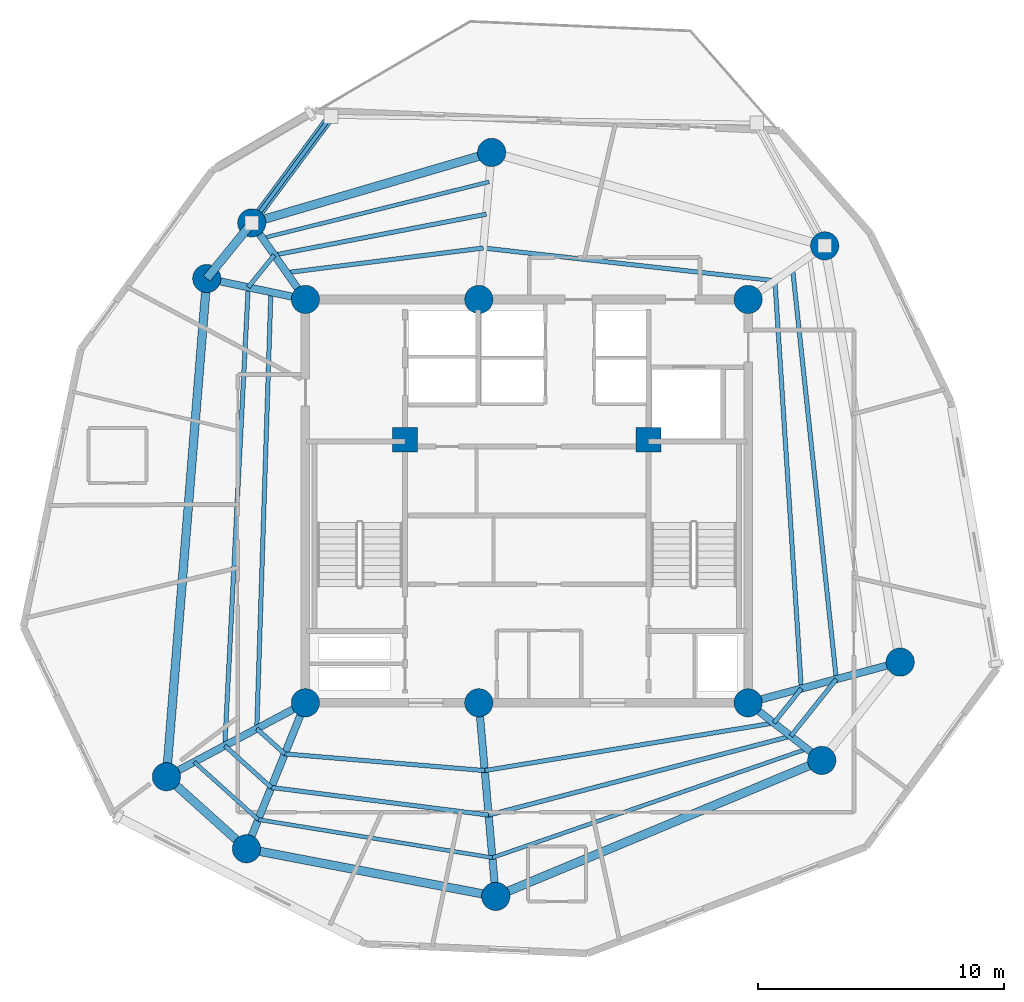
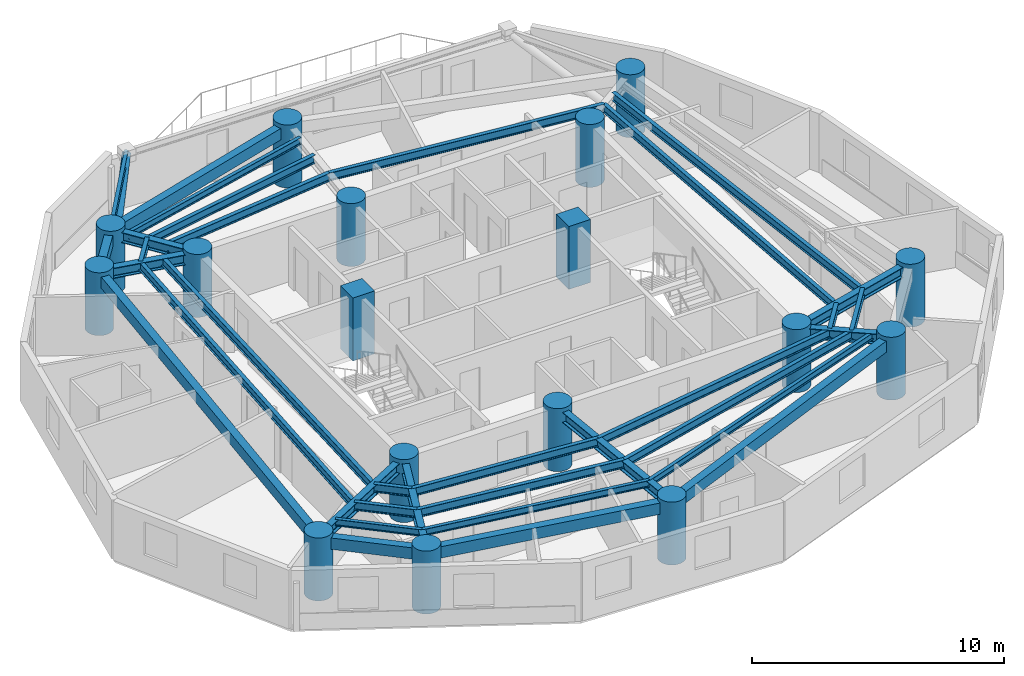
# One storey, part 1 of 8: 34 beams, 17 columns, 1 member.
"""IFC4 building model written with IfcOpenShell, lengths in metres."""

from ifc_helpers import new_model, si_unit, direction, frame, origin, origin_with_axes, origin_2d, place, context, subcontext, project, spatial, rectangle, circle, hollow_circle, i_section, extrude, source, transform, mapped, material, material_profile, profile_set, type_object, element, save


model = new_model("IFC4")

# Units and contexts
model_context = context("Model", 3, precision=1e-05, world=origin(), true_north=direction((0.0, 1.0)))
body_context = subcontext(model_context, "Body", "Model", "MODEL_VIEW")
ifc_project = project(units=[si_unit("LENGTHUNIT", "METRE"), si_unit("AREAUNIT", "SQUARE_METRE"), si_unit("VOLUMEUNIT", "CUBIC_METRE"), si_unit("PLANEANGLEUNIT", "RADIAN"), si_unit("MASSUNIT", "GRAM", prefix="KILO")], contexts=[model_context])

# Site, building, storey
site_placement = place(None, origin())
site = spatial("IfcSite", under=ifc_project, at=site_placement, CompositionType="ELEMENT")
building_placement = place(site_placement, origin())
building = spatial("IfcBuilding", under=site, at=building_placement, Name="Karkom Vertical University and Central Library", CompositionType="ELEMENT")
storey_placement = place(building_placement, frame((0.0, 0.0, 250.449951171875)))
storey = spatial("IfcBuildingStorey", under=building, at=storey_placement, Name="L74", CompositionType="ELEMENT", Elevation=250.449951171875)

# Columns
ifc_material_1 = material(Name="Concrete C50/60", Category="concrete")
ifc_material_profile_1 = material_profile(ifc_material_1, rectangle(XDim=1.0, YDim=1.0, at=origin_2d()), Name="RC-1000x1000")
ifc_profile_set_1 = profile_set([ifc_material_profile_1], Name="Concrete C50/60")
column_type_1 = type_object("IfcColumnType", Name="STR-COL-C-CC2", PredefinedType="COLUMN", material=ifc_profile_set_1)
shared_shape_1 = source(origin_with_axes(), body_context, "Body", "SweptSolid", [
    extrude(rectangle(XDim=1.0, YDim=1.0, at=origin_2d()), origin(), (0.0, 0.0, 1.0), 3.050048828125),
])
for number, where, z_axis, x_axis, name in (
    (1, (23.550048828125, 29.0, 0.0), (0.0, 0.0, 1.0), (1.0, 0.0, 0.0), "Level 74 Core Node Column CC-1"),
    (2, (33.449951171875, 29.0, 0.0), (0.0, 0.0, 1.0), (1.0, 0.0, 0.0), "Level 74 Core Node Column CC-2"),
):
    element("IfcColumn", number, at=place(storey_placement, frame(where, z_axis=z_axis, x_axis=x_axis)), inside=storey, type_object=column_type_1, Name=name, PredefinedType="COLUMN", context=body_context, shape_type="MappedRepresentation", body=[
        mapped(shared_shape_1, transform((0.0, 0.0, 0.0), scale=1.0)),
    ])
ifc_material_2 = material(Name="Concrete C45/55", Category="concrete")
ifc_material_profile_2 = material_profile(ifc_material_2, circle(Radius=0.574951171875, at=origin_2d()), Name="CFT-D1150")
ifc_profile_set_2 = profile_set([ifc_material_profile_2], Name="Concrete C45/55")
column_type_2 = type_object("IfcColumnType", Name="STR-COL-C-SC5", PredefinedType="COLUMN", material=ifc_profile_set_2)
shared_shape_2 = source(origin_with_axes(), body_context, "Body", "SweptSolid", [
    extrude(circle(Radius=0.574951171875, at=origin_2d()), origin(), (0.0, 0.0, 1.0), 3.050048828125),
])
for number, where, z_axis, x_axis, name in (
    (3, (19.5, 18.300048828125, 0.0), (0.0, 0.0, 1.0), (1.0, 0.0, 0.0), "Level 74 Spine Mega-Column SC-1"),
    (4, (26.550048828125, 18.300048828125, 0.0), (0.0, 0.0, 1.0), (1.0, 0.0, 0.0), "Level 74 Spine Mega-Column SC-2"),
    (5, (37.5, 18.300048828125, 0.0), (0.0, 0.0, 1.0), (1.0, 0.0, 0.0), "Level 74 Spine Mega-Column SC-3"),
    (6, (19.5, 34.699951171875, 0.0), (0.0, 0.0, 1.0), (1.0, 0.0, 0.0), "Level 74 Spine Mega-Column SC-4"),
    (7, (26.550048828125, 34.699951171875, 0.0), (0.0, 0.0, 1.0), (1.0, 0.0, 0.0), "Level 74 Spine Mega-Column SC-5"),
    (8, (37.5, 34.699951171875, 0.0), (0.0, 0.0, 1.0), (1.0, 0.0, 0.0), "Level 74 Spine Mega-Column SC-6"),
    (9, (43.681884765625, 19.9560546875, 0.0), (0.0, 0.0, 1.0), (1.0, 0.0, 0.0), "Level 74 Perimeter Mega-Column Z4-PC1"),
    (10, (40.613037109375, 36.8798828125, 0.0), (0.0, 0.0, 1.0), (1.0, 0.0, 0.0), "Level 74 Perimeter Mega-Column Z4-PC2"),
    (11, (27.072998046875, 40.677001953125, 0.0), (0.0, 0.0, 1.0), (1.0, 0.0, 0.0), "Level 74 Perimeter Mega-Column Z4-PC3"),
    (12, (17.320068359375, 37.81298828125, 0.0), (0.0, 0.0, 1.0), (1.0, 0.0, 0.0), "Level 74 Perimeter Mega-Column Z4-PC4"),
    (13, (15.489990234375, 35.552001953125, 0.0), (0.0, 0.0, 1.0), (1.0, 0.0, 0.0), "Level 74 Perimeter Mega-Column Z4-PC5"),
    (14, (13.84912109375, 15.294921875, 0.0), (0.0, 0.0, 1.0), (1.0, 0.0, 0.0), "Level 74 Perimeter Mega-Column Z4-PC6"),
    (15, (17.10302734375, 12.365966796875, 0.0), (0.0, 0.0, 1.0), (1.0, 0.0, 0.0), "Level 74 Perimeter Mega-Column Z4-PC7"),
    (16, (27.239013671875, 10.429931640625, 0.0), (0.0, 0.0, 1.0), (1.0, 0.0, 0.0), "Level 74 Perimeter Mega-Column Z4-PC8"),
    (17, (40.493896484375, 15.9599609375, 0.0), (0.0, 0.0, 1.0), (1.0, 0.0, 0.0), "Level 74 Perimeter Mega-Column Z4-PC9"),
):
    element("IfcColumn", number, at=place(storey_placement, frame(where, z_axis=z_axis, x_axis=x_axis)), inside=storey, type_object=column_type_2, Name=name, PredefinedType="COLUMN", context=body_context, shape_type="MappedRepresentation", body=[
        mapped(shared_shape_2, transform((0.0, 0.0, 0.0), scale=1.0)),
    ])

# Beams
ifc_material_3 = material(Name="Precast concrete C45/55", Category="concrete")
ifc_material_profile_3 = material_profile(ifc_material_3, rectangle(XDim=0.35009765625, YDim=0.550048828125, at=origin_2d()), Name="SPB-350x550")
ifc_profile_set_3 = profile_set([ifc_material_profile_3], Name="Precast concrete C45/55")
beam_type_1 = type_object("IfcBeamType", Name="STR-BM-SP-2", PredefinedType="SPANDREL", material=ifc_profile_set_3)
shared_shape_3 = source(origin_with_axes(), body_context, "Body", "SweptSolid", [
    extrude(rectangle(XDim=0.35009765625, YDim=0.550048828125, at=origin_2d()), origin(), (0.0, 0.0, 1.0), 10.164794921875),
])
beam_1_placement = place(storey_placement, frame((27.072998046875, 40.677001953125, 2.574951171875), z_axis=(-0.959485124536, -0.281759286971, 0.0), x_axis=(0.281759286971, -0.959485124536, 0.0)))
element("IfcBeam", 18, at=beam_1_placement, inside=storey, type_object=beam_type_1, Name="Level 74 Perimeter Spandrel Beam 03", PredefinedType="SPANDREL", context=body_context, shape_type="MappedRepresentation", body=[
    mapped(shared_shape_3, transform((0.0, 0.0, 0.0), scale=1.0)),
])
shared_shape_4 = source(origin_with_axes(), body_context, "Body", "SweptSolid", [
    extrude(rectangle(XDim=0.35009765625, YDim=0.550048828125, at=origin_2d()), origin(), (0.0, 0.0, 1.0), 2.908935546875),
])
beam_2_placement = place(storey_placement, frame((17.320068359375, 37.81298828125, 2.574951171875), z_axis=(-0.629147523747, -0.777285914811, 0.0), x_axis=(0.777285914811, -0.629147523747, 0.0)))
element("IfcBeam", 19, at=beam_2_placement, inside=storey, type_object=beam_type_1, Name="Level 74 Perimeter Spandrel Beam 04", PredefinedType="SPANDREL", context=body_context, shape_type="MappedRepresentation", body=[
    mapped(shared_shape_4, transform((0.0, 0.0, 0.0), scale=1.0)),
])
shared_shape_5 = source(origin_with_axes(), body_context, "Body", "SweptSolid", [
    extrude(rectangle(XDim=0.35009765625, YDim=0.550048828125, at=origin_2d()), origin(), (0.0, 0.0, 1.0), 20.323486328125),
])
beam_3_placement = place(storey_placement, frame((15.489990234375, 35.552001953125, 2.574951171875), z_axis=(-0.080737811681, -0.996735373991, 0.0), x_axis=(0.996735373991, -0.080737811681, 0.0)))
element("IfcBeam", 20, at=beam_3_placement, inside=storey, type_object=beam_type_1, Name="Level 74 Perimeter Spandrel Beam 05", PredefinedType="SPANDREL", context=body_context, shape_type="MappedRepresentation", body=[
    mapped(shared_shape_5, transform((0.0, 0.0, 0.0), scale=1.0)),
])
shared_shape_6 = source(origin_with_axes(), body_context, "Body", "SweptSolid", [
    extrude(rectangle(XDim=0.35009765625, YDim=0.550048828125, at=origin_2d()), origin(), (0.0, 0.0, 1.0), 4.3779296875),
])
beam_4_placement = place(storey_placement, frame((13.84912109375, 15.294921875, 2.574951171875), z_axis=(0.743244232405, -0.669020187287, 0.0), x_axis=(0.669020187287, 0.743244232405, 0.0)))
element("IfcBeam", 21, at=beam_4_placement, inside=storey, type_object=beam_type_1, Name="Level 74 Perimeter Spandrel Beam 06", PredefinedType="SPANDREL", context=body_context, shape_type="MappedRepresentation", body=[
    mapped(shared_shape_6, transform((0.0, 0.0, 0.0), scale=1.0)),
])
shared_shape_7 = source(origin_with_axes(), body_context, "Body", "SweptSolid", [
    extrude(rectangle(XDim=0.35009765625, YDim=0.550048828125, at=origin_2d()), origin(), (0.0, 0.0, 1.0), 10.3193359375),
])
beam_5_placement = place(storey_placement, frame((17.10302734375, 12.365966796875, 2.574951171875), z_axis=(0.982242767385, -0.187614354249, 0.0), x_axis=(0.187614354249, 0.982242767385, 0.0)))
element("IfcBeam", 22, at=beam_5_placement, inside=storey, type_object=beam_type_1, Name="Level 74 Perimeter Spandrel Beam 07", PredefinedType="SPANDREL", context=body_context, shape_type="MappedRepresentation", body=[
    mapped(shared_shape_7, transform((0.0, 0.0, 0.0), scale=1.0)),
])
shared_shape_8 = source(origin_with_axes(), body_context, "Body", "SweptSolid", [
    extrude(rectangle(XDim=0.35009765625, YDim=0.550048828125, at=origin_2d()), origin(), (0.0, 0.0, 1.0), 14.3623046875),
])
beam_6_placement = place(storey_placement, frame((27.239013671875, 10.429931640625, 2.574951171875), z_axis=(0.922899796194, 0.385040213725, 0.0), x_axis=(-0.385040213725, 0.922899796194, 0.0)))
element("IfcBeam", 23, at=beam_6_placement, inside=storey, type_object=beam_type_1, Name="Level 74 Perimeter Spandrel Beam 08", PredefinedType="SPANDREL", context=body_context, shape_type="MappedRepresentation", body=[
    mapped(shared_shape_8, transform((0.0, 0.0, 0.0), scale=1.0)),
])
ifc_material_4 = material(Name="Steel S355", Category="steel")
ifc_material_profile_4 = material_profile(ifc_material_4, i_section(OverallWidth=0.179931640625, OverallDepth=0.39990234375, WebThickness=0.008544921875, FlangeThickness=0.013427734375, FilletRadius=0.02099609375, at=origin_2d()), Name="IPE 400")
ifc_profile_set_4 = profile_set([ifc_material_profile_4], Name="Steel S355")
beam_type_2 = type_object("IfcBeamType", Name="STR-BM-SB-IPE400", PredefinedType="BEAM", material=ifc_profile_set_4)
shared_shape_9 = source(origin_with_axes(), body_context, "Body", "SweptSolid", [
    extrude(i_section(OverallWidth=0.179931640625, OverallDepth=0.39990234375, WebThickness=0.008544921875, FlangeThickness=0.013427734375, FilletRadius=0.02099609375, at=origin_2d()), origin(), (0.0, 0.0, 1.0), 16.617919921875),
])
beam_7_placement = place(storey_placement, frame((39.663818359375, 18.879638671875, 2.650146484375), z_axis=(-0.064641848008, 0.997908528617, 0.0), x_axis=(-0.997908528617, -0.064641848008, 0.0)))
element("IfcBeam", 24, at=beam_7_placement, inside=storey, type_object=beam_type_2, Name="Level 74 Secondary Composite Floor Beam 1.01", PredefinedType="BEAM", context=body_context, shape_type="MappedRepresentation", body=[
    mapped(shared_shape_9, transform((0.0, 0.0, 0.0), scale=1.0)),
])
shared_shape_10 = source(origin_with_axes(), body_context, "Body", "SweptSolid", [
    extrude(i_section(OverallWidth=0.179931640625, OverallDepth=0.39990234375, WebThickness=0.008544921875, FlangeThickness=0.013427734375, FilletRadius=0.02099609375, at=origin_2d()), origin(), (0.0, 0.0, 1.0), 11.9306640625),
])
beam_8_placement = place(storey_placement, frame((38.589599609375, 35.462890625, 2.650146484375), z_axis=(-0.993775454886, 0.11140172919, 0.0), x_axis=(-0.11140172919, -0.993775454886, 0.0)))
element("IfcBeam", 25, at=beam_8_placement, inside=storey, type_object=beam_type_2, Name="Level 74 Secondary Composite Floor Beam 1.02", PredefinedType="BEAM", context=body_context, shape_type="MappedRepresentation", body=[
    mapped(shared_shape_10, transform((0.0, 0.0, 0.0), scale=1.0)),
])
shared_shape_11 = source(origin_with_axes(), body_context, "Body", "SweptSolid", [
    extrude(i_section(OverallWidth=0.179931640625, OverallDepth=0.39990234375, WebThickness=0.008544921875, FlangeThickness=0.013427734375, FilletRadius=0.02099609375, at=origin_2d()), origin(), (0.0, 0.0, 1.0), 8.05859375),
])
beam_9_placement = place(storey_placement, frame((26.733154296875, 36.7919921875, 2.650146484375), z_axis=(-0.99223306826, -0.124392677646, 0.0), x_axis=(0.124392677646, -0.99223306826, 0.0)))
element("IfcBeam", 26, at=beam_9_placement, inside=storey, type_object=beam_type_2, Name="Level 74 Secondary Composite Floor Beam 1.03", PredefinedType="BEAM", context=body_context, shape_type="MappedRepresentation", body=[
    mapped(shared_shape_11, transform((0.0, 0.0, 0.0), scale=1.0)),
])
shared_shape_12 = source(origin_with_axes(), body_context, "Body", "SweptSolid", [
    extrude(i_section(OverallWidth=0.179931640625, OverallDepth=0.39990234375, WebThickness=0.008544921875, FlangeThickness=0.013427734375, FilletRadius=0.02099609375, at=origin_2d()), origin(), (0.0, 0.0, 1.0), 17.75927734375),
])
beam_10_placement = place(storey_placement, frame((18.096435546875, 34.998291015625, 2.650146484375), z_axis=(-0.032333437334, -0.999477137723, 0.0), x_axis=(0.999477137723, -0.032333437334, 0.0)))
element("IfcBeam", 27, at=beam_10_placement, inside=storey, type_object=beam_type_2, Name="Level 74 Secondary Composite Floor Beam 1.05", PredefinedType="BEAM", context=body_context, shape_type="MappedRepresentation", body=[
    mapped(shared_shape_12, transform((0.0, 0.0, 0.0), scale=1.0)),
])
shared_shape_13 = source(origin_with_axes(), body_context, "Body", "SweptSolid", [
    extrude(i_section(OverallWidth=0.179931640625, OverallDepth=0.39990234375, WebThickness=0.008544921875, FlangeThickness=0.013427734375, FilletRadius=0.02099609375, at=origin_2d()), origin(), (0.0, 0.0, 1.0), 1.5322265625),
])
beam_11_placement = place(storey_placement, frame((17.522216796875, 17.248291015625, 2.650146484375), z_axis=(0.743183211059, -0.669087972392, 0.0), x_axis=(0.669087972392, 0.743183211059, 0.0)))
element("IfcBeam", 28, at=beam_11_placement, inside=storey, type_object=beam_type_2, Name="Level 74 Secondary Composite Floor Beam 1.06", PredefinedType="BEAM", context=body_context, shape_type="MappedRepresentation", body=[
    mapped(shared_shape_13, transform((0.0, 0.0, 0.0), scale=1.0)),
])
shared_shape_14 = source(origin_with_axes(), body_context, "Body", "SweptSolid", [
    extrude(i_section(OverallWidth=0.179931640625, OverallDepth=0.39990234375, WebThickness=0.008544921875, FlangeThickness=0.013427734375, FilletRadius=0.02099609375, at=origin_2d()), origin(), (0.0, 0.0, 1.0), 8.15869140625),
])
beam_12_placement = place(storey_placement, frame((18.660888671875, 16.22314453125, 2.650146484375), z_axis=(0.996543694183, -0.083070244882, 0.0), x_axis=(0.083070244882, 0.996543694183, 0.0)))
element("IfcBeam", 29, at=beam_12_placement, inside=storey, type_object=beam_type_2, Name="Level 74 Secondary Composite Floor Beam 1.07", PredefinedType="BEAM", context=body_context, shape_type="MappedRepresentation", body=[
    mapped(shared_shape_14, transform((0.0, 0.0, 0.0), scale=1.0)),
])
shared_shape_15 = source(origin_with_axes(), body_context, "Body", "SweptSolid", [
    extrude(i_section(OverallWidth=0.179931640625, OverallDepth=0.39990234375, WebThickness=0.008544921875, FlangeThickness=0.013427734375, FilletRadius=0.02099609375, at=origin_2d()), origin(), (0.0, 0.0, 1.0), 11.914794921875),
])
beam_13_placement = place(storey_placement, frame((26.791259765625, 15.54541015625, 2.650146484375), z_axis=(0.986717073469, 0.162448197663, 0.0), x_axis=(-0.162448197663, 0.986717073469, 0.0)))
element("IfcBeam", 30, at=beam_13_placement, inside=storey, type_object=beam_type_2, Name="Level 74 Secondary Composite Floor Beam 1.08", PredefinedType="BEAM", context=body_context, shape_type="MappedRepresentation", body=[
    mapped(shared_shape_15, transform((0.0, 0.0, 0.0), scale=1.0)),
])
shared_shape_16 = source(origin_with_axes(), body_context, "Body", "SweptSolid", [
    extrude(i_section(OverallWidth=0.179931640625, OverallDepth=0.39990234375, WebThickness=0.008544921875, FlangeThickness=0.013427734375, FilletRadius=0.02099609375, at=origin_2d()), origin(), (0.0, 0.0, 1.0), 1.789306640625),
])
beam_14_placement = place(storey_placement, frame((38.5478515625, 17.48095703125, 2.650146484375), z_axis=(0.623679519349, 0.781680150154, 0.0), x_axis=(-0.781680150154, 0.623679519349, 0.0)))
element("IfcBeam", 31, at=beam_14_placement, inside=storey, type_object=beam_type_2, Name="Level 74 Secondary Composite Floor Beam 1.09", PredefinedType="BEAM", context=body_context, shape_type="MappedRepresentation", body=[
    mapped(shared_shape_16, transform((0.0, 0.0, 0.0), scale=1.0)),
])
shared_shape_17 = source(origin_with_axes(), body_context, "Body", "SweptSolid", [
    extrude(i_section(OverallWidth=0.179931640625, OverallDepth=0.39990234375, WebThickness=0.008544921875, FlangeThickness=0.013427734375, FilletRadius=0.02099609375, at=origin_2d()), origin(), (0.0, 0.0, 1.0), 16.79833984375),
])
beam_15_placement = place(storey_placement, frame((41.085693359375, 19.260498046875, 2.650146484375), z_axis=(-0.105978377704, 0.994368434464, 0.0), x_axis=(-0.994368434464, -0.105978377704, 0.0)))
element("IfcBeam", 32, at=beam_15_placement, inside=storey, type_object=beam_type_2, Name="Level 74 Secondary Composite Floor Beam 2.01", PredefinedType="BEAM", context=body_context, shape_type="MappedRepresentation", body=[
    mapped(shared_shape_17, transform((0.0, 0.0, 0.0), scale=1.0)),
])
shared_shape_18 = source(origin_with_axes(), body_context, "Body", "SweptSolid", [
    extrude(i_section(OverallWidth=0.179931640625, OverallDepth=0.39990234375, WebThickness=0.008544921875, FlangeThickness=0.013427734375, FilletRadius=0.02099609375, at=origin_2d()), origin(), (0.0, 0.0, 1.0), 8.7763671875),
])
beam_16_placement = place(storey_placement, frame((26.853271484375, 38.166748046875, 2.650146484375), z_axis=(-0.981924209256, -0.189274528862, 0.0), x_axis=(0.189274528862, -0.981924209256, 0.0)))
element("IfcBeam", 33, at=beam_16_placement, inside=storey, type_object=beam_type_2, Name="Level 74 Secondary Composite Floor Beam 2.03", PredefinedType="BEAM", context=body_context, shape_type="MappedRepresentation", body=[
    mapped(shared_shape_18, transform((0.0, 0.0, 0.0), scale=1.0)),
])
shared_shape_19 = source(origin_with_axes(), body_context, "Body", "SweptSolid", [
    extrude(i_section(OverallWidth=0.179931640625, OverallDepth=0.39990234375, WebThickness=0.008544921875, FlangeThickness=0.013427734375, FilletRadius=0.02099609375, at=origin_2d()), origin(), (0.0, 0.0, 1.0), 1.68701171875),
])
beam_17_placement = place(storey_placement, frame((18.235595703125, 36.505615234375, 2.650146484375), z_axis=(-0.629044191861, -0.777369541908, 0.0), x_axis=(0.777369541908, -0.629044191861, 0.0)))
element("IfcBeam", 34, at=beam_17_placement, inside=storey, type_object=beam_type_2, Name="Level 74 Secondary Composite Floor Beam 2.04", PredefinedType="BEAM", context=body_context, shape_type="MappedRepresentation", body=[
    mapped(shared_shape_19, transform((0.0, 0.0, 0.0), scale=1.0)),
])
shared_shape_20 = source(origin_with_axes(), body_context, "Body", "SweptSolid", [
    extrude(i_section(OverallWidth=0.179931640625, OverallDepth=0.39990234375, WebThickness=0.008544921875, FlangeThickness=0.013427734375, FilletRadius=0.02099609375, at=origin_2d()), origin(), (0.0, 0.0, 1.0), 18.661376953125),
])
beam_18_placement = place(storey_placement, frame((17.17431640625, 35.194091796875, 2.650146484375), z_axis=(-0.051009656211, -0.998698160093, 0.0), x_axis=(0.998698160093, -0.051009656211, 0.0)))
element("IfcBeam", 35, at=beam_18_placement, inside=storey, type_object=beam_type_2, Name="Level 74 Secondary Composite Floor Beam 2.05", PredefinedType="BEAM", context=body_context, shape_type="MappedRepresentation", body=[
    mapped(shared_shape_20, transform((0.0, 0.0, 0.0), scale=1.0)),
])
shared_shape_21 = source(origin_with_axes(), body_context, "Body", "SweptSolid", [
    extrude(i_section(OverallWidth=0.179931640625, OverallDepth=0.39990234375, WebThickness=0.008544921875, FlangeThickness=0.013427734375, FilletRadius=0.02099609375, at=origin_2d()), origin(), (0.0, 0.0, 1.0), 2.5390625),
])
beam_19_placement = place(storey_placement, frame((16.222412109375, 16.55712890625, 2.650146484375), z_axis=(0.743246334517, -0.669017851949, 0.0), x_axis=(0.669017851949, 0.743246334517, 0.0)))
element("IfcBeam", 36, at=beam_19_placement, inside=storey, type_object=beam_type_2, Name="Level 74 Secondary Composite Floor Beam 2.06", PredefinedType="BEAM", context=body_context, shape_type="MappedRepresentation", body=[
    mapped(shared_shape_21, transform((0.0, 0.0, 0.0), scale=1.0)),
])
shared_shape_22 = source(origin_with_axes(), body_context, "Body", "SweptSolid", [
    extrude(i_section(OverallWidth=0.179931640625, OverallDepth=0.39990234375, WebThickness=0.008544921875, FlangeThickness=0.013427734375, FilletRadius=0.02099609375, at=origin_2d()), origin(), (0.0, 0.0, 1.0), 8.9111328125),
])
beam_20_placement = place(storey_placement, frame((18.109619140625, 14.8583984375, 2.650146484375), z_axis=(0.992026771403, -0.126027317751, 0.0), x_axis=(0.126027317751, 0.992026771403, 0.0)))
element("IfcBeam", 37, at=beam_20_placement, inside=storey, type_object=beam_type_2, Name="Level 74 Secondary Composite Floor Beam 2.07", PredefinedType="BEAM", context=body_context, shape_type="MappedRepresentation", body=[
    mapped(shared_shape_22, transform((0.0, 0.0, 0.0), scale=1.0)),
])
shared_shape_23 = source(origin_with_axes(), body_context, "Body", "SweptSolid", [
    extrude(i_section(OverallWidth=0.179931640625, OverallDepth=0.39990234375, WebThickness=0.008544921875, FlangeThickness=0.013427734375, FilletRadius=0.02099609375, at=origin_2d()), origin(), (0.0, 0.0, 1.0), 12.69873046875),
])
beam_21_placement = place(storey_placement, frame((26.94970703125, 13.7353515625, 2.650146484375), z_axis=(0.967573974729, 0.252587813301, 0.0), x_axis=(-0.252587813301, 0.967573974729, 0.0)))
element("IfcBeam", 38, at=beam_21_placement, inside=storey, type_object=beam_type_2, Name="Level 74 Secondary Composite Floor Beam 2.08", PredefinedType="BEAM", context=body_context, shape_type="MappedRepresentation", body=[
    mapped(shared_shape_23, transform((0.0, 0.0, 0.0), scale=1.0)),
])
shared_shape_24 = source(origin_with_axes(), body_context, "Body", "SweptSolid", [
    extrude(i_section(OverallWidth=0.179931640625, OverallDepth=0.39990234375, WebThickness=0.008544921875, FlangeThickness=0.013427734375, FilletRadius=0.02099609375, at=origin_2d()), origin(), (0.0, 0.0, 1.0), 2.96484375),
])
beam_22_placement = place(storey_placement, frame((39.236572265625, 16.94287109375, 2.650146484375), z_axis=(0.623670236397, 0.781687556657, 0.0), x_axis=(-0.781687556657, 0.623670236397, 0.0)))
element("IfcBeam", 39, at=beam_22_placement, inside=storey, type_object=beam_type_2, Name="Level 74 Secondary Composite Floor Beam 2.09", PredefinedType="BEAM", context=body_context, shape_type="MappedRepresentation", body=[
    mapped(shared_shape_24, transform((0.0, 0.0, 0.0), scale=1.0)),
])
ifc_material_profile_5 = material_profile(ifc_material_4, i_section(OverallWidth=0.159912109375, OverallDepth=0.330078125, WebThickness=0.007568359375, FlangeThickness=0.011474609375, FilletRadius=0.01806640625, at=origin_2d()), Name="IPE 330")
ifc_profile_set_5 = profile_set([ifc_material_profile_5], Name="Steel S355")
beam_type_3 = type_object("IfcBeamType", Name="STR-BM-SB-IPE330", PredefinedType="BEAM", material=ifc_profile_set_5)
shared_shape_25 = source(origin_with_axes(), body_context, "Body", "SweptSolid", [
    extrude(i_section(OverallWidth=0.159912109375, OverallDepth=0.330078125, WebThickness=0.007568359375, FlangeThickness=0.011474609375, FilletRadius=0.01806640625, at=origin_2d()), origin(), (0.0, 0.0, 1.0), 9.4931640625),
])
beam_23_placement = place(storey_placement, frame((26.968505859375, 39.481689453125, 2.68505859375), z_axis=(-0.970435275293, -0.241361505767, 0.0), x_axis=(0.241361505767, -0.970435275293, 0.0)))
element("IfcBeam", 40, at=beam_23_placement, inside=storey, type_object=beam_type_3, Name="Level 74 Secondary Composite Floor Beam 3.03", PredefinedType="BEAM", context=body_context, shape_type="MappedRepresentation", body=[
    mapped(shared_shape_25, transform((0.0, 0.0, 0.0), scale=1.0)),
])
shared_shape_26 = source(origin_with_axes(), body_context, "Body", "SweptSolid", [
    extrude(i_section(OverallWidth=0.159912109375, OverallDepth=0.330078125, WebThickness=0.007568359375, FlangeThickness=0.011474609375, FilletRadius=0.01806640625, at=origin_2d()), origin(), (0.0, 0.0, 1.0), 3.50244140625),
])
beam_24_placement = place(storey_placement, frame((14.979248046875, 15.89599609375, 2.68505859375), z_axis=(0.743249087562, -0.669014793437, 0.0), x_axis=(0.669014793437, 0.743249087562, 0.0)))
element("IfcBeam", 41, at=beam_24_placement, inside=storey, type_object=beam_type_3, Name="Level 74 Secondary Composite Floor Beam 3.06", PredefinedType="BEAM", context=body_context, shape_type="MappedRepresentation", body=[
    mapped(shared_shape_26, transform((0.0, 0.0, 0.0), scale=1.0)),
])
shared_shape_27 = source(origin_with_axes(), body_context, "Body", "SweptSolid", [
    extrude(i_section(OverallWidth=0.159912109375, OverallDepth=0.330078125, WebThickness=0.007568359375, FlangeThickness=0.011474609375, FilletRadius=0.01806640625, at=origin_2d()), origin(), (0.0, 0.0, 1.0), 9.64404296875),
])
beam_25_placement = place(storey_placement, frame((17.58251953125, 13.552734375, 2.68505859375), z_axis=(0.987019497924, -0.160600469231, 0.0), x_axis=(0.160600469231, 0.987019497924, 0.0)))
element("IfcBeam", 42, at=beam_25_placement, inside=storey, type_object=beam_type_3, Name="Level 74 Secondary Composite Floor Beam 3.07", PredefinedType="BEAM", context=body_context, shape_type="MappedRepresentation", body=[
    mapped(shared_shape_27, transform((0.0, 0.0, 0.0), scale=1.0)),
])
shared_shape_28 = source(origin_with_axes(), body_context, "Body", "SweptSolid", [
    extrude(i_section(OverallWidth=0.159912109375, OverallDepth=0.330078125, WebThickness=0.007568359375, FlangeThickness=0.011474609375, FilletRadius=0.01806640625, at=origin_2d()), origin(), (0.0, 0.0, 1.0), 13.537353515625),
])
beam_26_placement = place(storey_placement, frame((27.101318359375, 12.00390625, 2.68505859375), z_axis=(0.945091088216, 0.32680703018, 0.0), x_axis=(-0.32680703018, 0.945091088216, 0.0)))
element("IfcBeam", 43, at=beam_26_placement, inside=storey, type_object=beam_type_3, Name="Level 74 Secondary Composite Floor Beam 3.08", PredefinedType="BEAM", context=body_context, shape_type="MappedRepresentation", body=[
    mapped(shared_shape_28, transform((0.0, 0.0, 0.0), scale=1.0)),
])
ifc_material_profile_6 = material_profile(ifc_material_4, i_section(OverallWidth=0.300048828125, OverallDepth=0.5, WebThickness=0.014404296875, FlangeThickness=0.028076171875, FilletRadius=0.027099609375, at=origin_2d()), Name="HE 500 B")
ifc_profile_set_6 = profile_set([ifc_material_profile_6], Name="Steel S355")
beam_type_4 = type_object("IfcBeamType", Name="STR-BM-SB-HE500", PredefinedType="USERDEFINED", material=ifc_profile_set_6)
shared_shape_29 = source(origin_with_axes(), body_context, "Body", "SweptSolid", [
    extrude(i_section(OverallWidth=0.300048828125, OverallDepth=0.5, WebThickness=0.014404296875, FlangeThickness=0.028076171875, FilletRadius=0.027099609375, at=origin_2d()), origin(), (0.0, 0.0, 1.0), 6.39990234375),
])
for number, where, z_axis, x_axis, name in (
    (44, (37.5, 18.300048828125, 2.60009765625), (0.965942432948, 0.258757060254, 0.0), (-0.258757060254, 0.965942432948, 0.0), "Level 74 Radial Frame Girder 01"),
    (45, (19.5, 18.300048828125, 2.60009765625), (-0.374532429749, -0.927213815183, 0.0), (0.927213815183, -0.374532429749, 0.0), "Level 74 Radial Frame Girder 07"),
):
    element("IfcBeam", number, at=place(storey_placement, frame(where, z_axis=z_axis, x_axis=x_axis)), inside=storey, type_object=beam_type_4, Name=name, ObjectType="GIRDER", PredefinedType="USERDEFINED", context=body_context, shape_type="MappedRepresentation", body=[
        mapped(shared_shape_29, transform((0.0, 0.0, 0.0), scale=1.0)),
    ])
shared_shape_30 = source(origin_with_axes(), body_context, "Body", "SweptSolid", [
    extrude(i_section(OverallWidth=0.300048828125, OverallDepth=0.5, WebThickness=0.014404296875, FlangeThickness=0.028076171875, FilletRadius=0.027099609375, at=origin_2d()), origin(), (0.0, 0.0, 1.0), 3.80029296875),
])
beam_27_placement = place(storey_placement, frame((19.5, 34.699951171875, 2.60009765625), z_axis=(-0.573604613627, 0.819132313625, 0.0), x_axis=(-0.819132313625, -0.573604613627, 0.0)))
element("IfcBeam", 46, at=beam_27_placement, inside=storey, type_object=beam_type_4, Name="Level 74 Radial Frame Girder 04", ObjectType="GIRDER", PredefinedType="USERDEFINED", context=body_context, shape_type="MappedRepresentation", body=[
    mapped(shared_shape_30, transform((0.0, 0.0, 0.0), scale=1.0)),
])
shared_shape_31 = source(origin_with_axes(), body_context, "Body", "SweptSolid", [
    extrude(i_section(OverallWidth=0.300048828125, OverallDepth=0.5, WebThickness=0.014404296875, FlangeThickness=0.028076171875, FilletRadius=0.027099609375, at=origin_2d()), origin(), (0.0, 0.0, 1.0), 4.099609375),
])
beam_28_placement = place(storey_placement, frame((19.5, 34.699951171875, 2.60009765625), z_axis=(-0.978162634602, 0.207840949453, 0.0), x_axis=(-0.207840949453, -0.978162634602, 0.0)))
element("IfcBeam", 47, at=beam_28_placement, inside=storey, type_object=beam_type_4, Name="Level 74 Radial Frame Girder 05", ObjectType="GIRDER", PredefinedType="USERDEFINED", context=body_context, shape_type="MappedRepresentation", body=[
    mapped(shared_shape_31, transform((0.0, 0.0, 0.0), scale=1.0)),
])
shared_shape_32 = source(origin_with_axes(), body_context, "Body", "SweptSolid", [
    extrude(i_section(OverallWidth=0.300048828125, OverallDepth=0.5, WebThickness=0.014404296875, FlangeThickness=0.028076171875, FilletRadius=0.027099609375, at=origin_2d()), origin(), (0.0, 0.0, 1.0), 6.400146484375),
])
beam_29_placement = place(storey_placement, frame((19.5, 18.300048828125, 2.60009765625), z_axis=(-0.882915120857, -0.469532628645, 0.0), x_axis=(0.469532628645, -0.882915120857, 0.0)))
element("IfcBeam", 48, at=beam_29_placement, inside=storey, type_object=beam_type_4, Name="Level 74 Radial Frame Girder 06", ObjectType="GIRDER", PredefinedType="USERDEFINED", context=body_context, shape_type="MappedRepresentation", body=[
    mapped(shared_shape_32, transform((0.0, 0.0, 0.0), scale=1.0)),
])
shared_shape_33 = source(origin_with_axes(), body_context, "Body", "SweptSolid", [
    extrude(i_section(OverallWidth=0.300048828125, OverallDepth=0.5, WebThickness=0.014404296875, FlangeThickness=0.028076171875, FilletRadius=0.027099609375, at=origin_2d()), origin(), (0.0, 0.0, 1.0), 7.900146484375),
])
beam_30_placement = place(storey_placement, frame((26.550048828125, 18.300048828125, 2.60009765625), z_axis=(0.087208352312, -0.996190093951, 0.0), x_axis=(0.996190093951, 0.087208352312, 0.0)))
element("IfcBeam", 49, at=beam_30_placement, inside=storey, type_object=beam_type_4, Name="Level 74 Radial Frame Girder 08", ObjectType="GIRDER", PredefinedType="USERDEFINED", context=body_context, shape_type="MappedRepresentation", body=[
    mapped(shared_shape_33, transform((0.0, 0.0, 0.0), scale=1.0)),
])
shared_shape_34 = source(origin_with_axes(), body_context, "Body", "SweptSolid", [
    extrude(i_section(OverallWidth=0.300048828125, OverallDepth=0.5, WebThickness=0.014404296875, FlangeThickness=0.028076171875, FilletRadius=0.027099609375, at=origin_2d()), origin(), (0.0, 0.0, 1.0), 3.7998046875),
])
beam_31_placement = place(storey_placement, frame((37.5, 18.300048828125, 2.60009765625), z_axis=(0.787883114707, -0.61582481077, 0.0), x_axis=(0.61582481077, 0.787883114707, 0.0)))
element("IfcBeam", 50, at=beam_31_placement, inside=storey, type_object=beam_type_4, Name="Level 74 Radial Frame Girder 09", ObjectType="GIRDER", PredefinedType="USERDEFINED", context=body_context, shape_type="MappedRepresentation", body=[
    mapped(shared_shape_34, transform((0.0, 0.0, 0.0), scale=1.0)),
])
shared_shape_35 = source(origin_with_axes(), body_context, "Body", "SweptSolid", [
    extrude(i_section(OverallWidth=0.159912109375, OverallDepth=0.330078125, WebThickness=0.007568359375, FlangeThickness=0.011474609375, FilletRadius=0.01806640625, at=origin_2d()), origin(), (0.0, 0.0, 1.0), 5.39794921875),
])
beam_32_placement = place(storey_placement, frame((17.320068359375, 37.81298828125, 2.68505859375), z_axis=(0.59686928392, 0.802338493351, 0.0), x_axis=(-0.802338493351, 0.59686928392, 0.0)))
element("IfcBeam", 51, at=beam_32_placement, inside=storey, type_object=beam_type_3, Name="Level 74 Sky Garden Outrigger Support Beam 2", PredefinedType="BEAM", context=body_context, shape_type="MappedRepresentation", body=[
    mapped(shared_shape_35, transform((0.0, 0.0, 0.0), scale=1.0)),
])

# Member
ifc_material_profile_7 = material_profile(ifc_material_4, hollow_circle(Radius=0.177734375, WallThickness=0.01611328125, at=origin_2d()), Name="CHS 355.6x16")
ifc_profile_set_7 = profile_set([ifc_material_profile_7], Name="Steel S355")
member_type = type_object("IfcMemberType", Name="STR-MEM-BR-3", PredefinedType="BRACE", material=ifc_profile_set_7)
shared_shape_36 = source(origin_with_axes(), body_context, "Body", "SweptSolid", [
    extrude(hollow_circle(Radius=0.177734375, WallThickness=0.01611328125, at=origin_2d()), origin(), (0.0, 0.0, 1.0), 5.88134765625),
])
member_placement = place(storey_placement, frame((17.320068359375, 37.81298828125, 0.35009765625), z_axis=(0.547815761465, 0.73639854576, 0.397007648909), x_axis=(-0.802338493351, 0.59686928392, 0.0)))
element("IfcMember", 52, at=member_placement, inside=storey, type_object=member_type, Name="Level 74 Sky Garden Knee Strut Brace 2", PredefinedType="BRACE", context=body_context, shape_type="MappedRepresentation", body=[
    mapped(shared_shape_36, transform((0.0, 0.0, 0.0), scale=1.0)),
])

save(model, "model.ifc")
